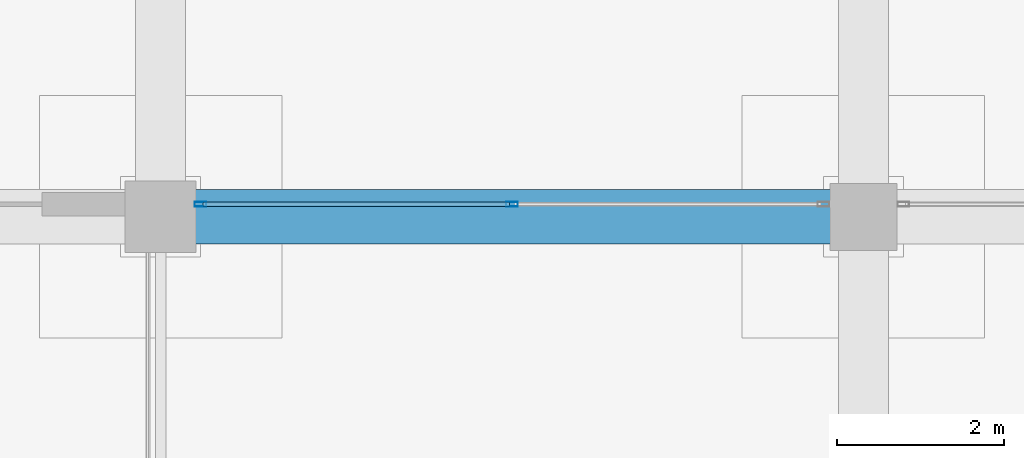
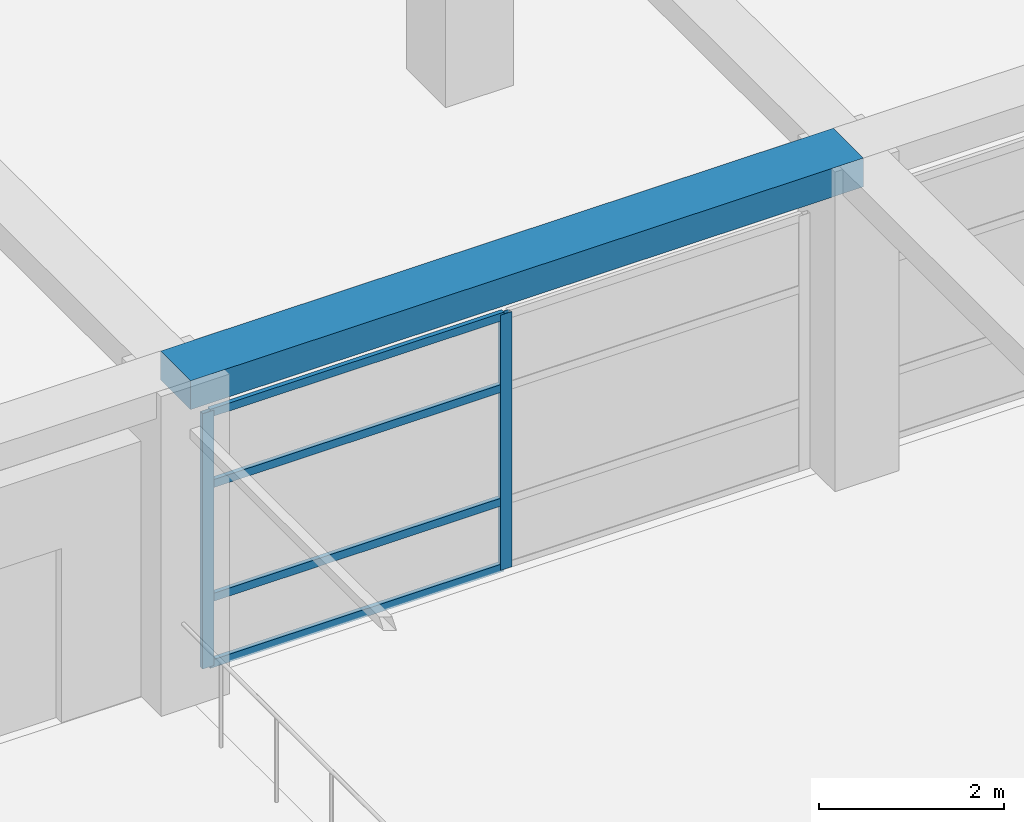
# One storey, part 55 of 85: 6 members, 1 beam, 1 element without a shape of its own.
"""IFC4 building model written with IfcOpenShell, lengths in metres."""

from ifc_helpers import new_model, si_unit, direction, frame, origin, origin_2d, place, context, subcontext, project, spatial, rectangle, hollow_rectangle, extrude, material, material_profile, profile_set, type_object, element, aggregate, save


model = new_model("IFC4")

# Units and contexts
model_context = context("Model", 3, precision=1e-05, world=origin(), true_north=direction((0.0, 1.0)))
body_context = subcontext(model_context, "Body", "Model", "MODEL_VIEW")
ifc_project = project(units=[si_unit("LENGTHUNIT", "METRE"), si_unit("AREAUNIT", "SQUARE_METRE"), si_unit("VOLUMEUNIT", "CUBIC_METRE"), si_unit("PLANEANGLEUNIT", "RADIAN"), si_unit("MASSUNIT", "GRAM", prefix="KILO")], contexts=[model_context])

# Site, building, storey
site_placement = place(None, origin())
site = spatial("IfcSite", under=ifc_project, at=site_placement, CompositionType="ELEMENT")
building_placement = place(site_placement, origin())
building = spatial("IfcBuilding", under=site, at=building_placement, Name="Almacenes y Pasaje Nevantli", CompositionType="ELEMENT")
storey_placement = place(building_placement, frame((0.0, 0.0, 22.199951171875)))
storey = spatial("IfcBuildingStorey", under=building, at=storey_placement, Name="L05", CompositionType="ELEMENT", Elevation=22.199951171875)

# Beam
ifc_material_1 = material(Name="Concrete C35/45", Category="concrete")
ifc_material_profile_1 = material_profile(ifc_material_1, rectangle(XDim=0.64990234375, YDim=0.3798828125, at=origin_2d()), Name="RC-BM-650x380")
ifc_profile_set_1 = profile_set([ifc_material_profile_1], Name="Concrete C35/45")
beam_type = type_object("IfcBeamType", Name="BM-RC-650x380", PredefinedType="BEAM", material=ifc_profile_set_1)
beam_placement = place(storey_placement, frame((151.199951171875, 67.199951171875, 4.030029296875), z_axis=(1.0, 0.0, 0.0), x_axis=(0.0, 1.0, 0.0)))
element("IfcBeam", 1, at=beam_placement, inside=storey, type_object=beam_type, Name="L05 East-West Reinforced Concrete Beam #3318", PredefinedType="BEAM", context=body_context, shape_type="SweptSolid", body=[
    extrude(rectangle(XDim=0.64990234375, YDim=0.3798828125, at=origin_2d()), origin(), (0.0, 0.0, 1.0), 8.400146484375),
])

# Curtain wall, members
ifc_material_2 = material(Name="Thermally Broken Aluminium and Low-E Glass", Category="aluminium")
curtain_wall_type = type_object("IfcCurtainWallType", Name="CW-STF-ATRIUM", PredefinedType="USERDEFINED", material=ifc_material_2)
curtain_wall_placement = place(storey_placement, origin())
curtain_wall = element("IfcCurtainWall", 2, at=curtain_wall_placement, inside=storey, type_object=curtain_wall_type, Name="L05 Sky-Lobby South Terrace Glazing Bay 19", ObjectType="STOREFRONT GLAZING", PredefinedType="USERDEFINED")
ifc_material_3 = material(Name="Thermally Broken Anodized Aluminium", Category="aluminium")
ifc_material_profile_2 = material_profile(ifc_material_3, hollow_rectangle(XDim=0.054931640625, YDim=0.139892578125, WallThickness=0.00341796875, at=origin_2d()), Name="ALU-MUL-55x140")
ifc_profile_set_2 = profile_set([ifc_material_profile_2], Name="Thermally Broken Anodized Aluminium")
member_type_1 = type_object("IfcMemberType", Name="CW-MUL-160", PredefinedType="MULLION", material=ifc_profile_set_2)
member_1_placement = place(storey_placement, frame((151.677490234375, 67.35009765625, 0.0), z_axis=(0.0, 0.0, 1.0), x_axis=(0.0, 1.0, 0.0)))
member_1 = element("IfcMember", 3, at=member_1_placement, type_object=member_type_1, Name="CW-L05-093 mullion 1", PredefinedType="MULLION", context=body_context, shape_type="SweptSolid", body=[
    extrude(hollow_rectangle(XDim=0.054931640625, YDim=0.139892578125, WallThickness=0.00341796875, at=origin_2d()), origin(), (0.0, 0.0, 1.0), 3.3701171875),
])
member_2_placement = place(storey_placement, frame((155.39990234375, 67.35009765625, 0.0), z_axis=(0.0, 0.0, 1.0), x_axis=(0.0, 1.0, 0.0)))
member_2 = element("IfcMember", 4, at=member_2_placement, type_object=member_type_1, Name="CW-L05-093 mullion 2", PredefinedType="MULLION", context=body_context, shape_type="SweptSolid", body=[
    extrude(hollow_rectangle(XDim=0.054931640625, YDim=0.139892578125, WallThickness=0.00341796875, at=origin_2d()), origin(), (0.0, 0.0, 1.0), 3.3701171875),
])
ifc_material_4 = material(Name="Thermally Broken Anodized Aluminium", Category="aluminium")
ifc_material_profile_3 = material_profile(ifc_material_4, hollow_rectangle(XDim=0.054931640625, YDim=0.10498046875, WallThickness=0.003173828125, at=origin_2d()), Name="ALU-TRN-55x105")
ifc_profile_set_3 = profile_set([ifc_material_profile_3], Name="Thermally Broken Anodized Aluminium")
member_type_2 = type_object("IfcMemberType", Name="CW-TRN-120", PredefinedType="USERDEFINED", material=ifc_profile_set_3)
member_3_placement = place(storey_placement, frame((151.705078125, 67.35009765625, 0.027587890625), z_axis=(1.0, 0.0, 0.0), x_axis=(0.0, 1.0, 0.0)))
member_3 = element("IfcMember", 5, at=member_3_placement, type_object=member_type_2, Name="CW-L05-093 transom 1.1", ObjectType="TRANSOM", PredefinedType="USERDEFINED", context=body_context, shape_type="SweptSolid", body=[
    extrude(hollow_rectangle(XDim=0.054931640625, YDim=0.10498046875, WallThickness=0.003173828125, at=origin_2d()), origin(), (0.0, 0.0, 1.0), 3.66748046875),
])
member_4_placement = place(storey_placement, frame((151.705078125, 67.35009765625, 0.900146484375), z_axis=(1.0, 0.0, 0.0), x_axis=(0.0, 1.0, 0.0)))
member_4 = element("IfcMember", 6, at=member_4_placement, type_object=member_type_2, Name="CW-L05-093 transom 1.2", ObjectType="TRANSOM", PredefinedType="USERDEFINED", context=body_context, shape_type="SweptSolid", body=[
    extrude(hollow_rectangle(XDim=0.054931640625, YDim=0.10498046875, WallThickness=0.003173828125, at=origin_2d()), origin(), (0.0, 0.0, 1.0), 3.66748046875),
])
member_5_placement = place(storey_placement, frame((151.705078125, 67.35009765625, 2.400146484375), z_axis=(1.0, 0.0, 0.0), x_axis=(0.0, 1.0, 0.0)))
member_5 = element("IfcMember", 7, at=member_5_placement, type_object=member_type_2, Name="CW-L05-093 transom 1.3", ObjectType="TRANSOM", PredefinedType="USERDEFINED", context=body_context, shape_type="SweptSolid", body=[
    extrude(hollow_rectangle(XDim=0.054931640625, YDim=0.10498046875, WallThickness=0.003173828125, at=origin_2d()), origin(), (0.0, 0.0, 1.0), 3.66748046875),
])
member_6_placement = place(storey_placement, frame((151.705078125, 67.35009765625, 3.342529296875), z_axis=(1.0, 0.0, 0.0), x_axis=(0.0, 1.0, 0.0)))
member_6 = element("IfcMember", 8, at=member_6_placement, type_object=member_type_2, Name="CW-L05-093 transom 1.4", ObjectType="TRANSOM", PredefinedType="USERDEFINED", context=body_context, shape_type="SweptSolid", body=[
    extrude(hollow_rectangle(XDim=0.054931640625, YDim=0.10498046875, WallThickness=0.003173828125, at=origin_2d()), origin(), (0.0, 0.0, 1.0), 3.66748046875),
])
aggregate(curtain_wall, [member_1, member_2, member_3, member_4, member_5, member_6])

save(model, "model.ifc")
